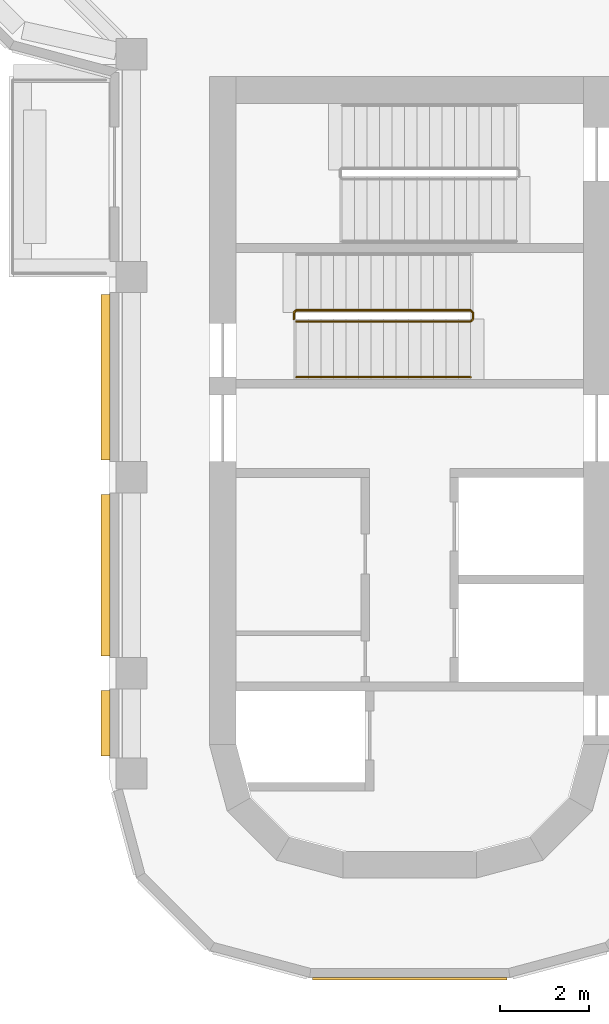
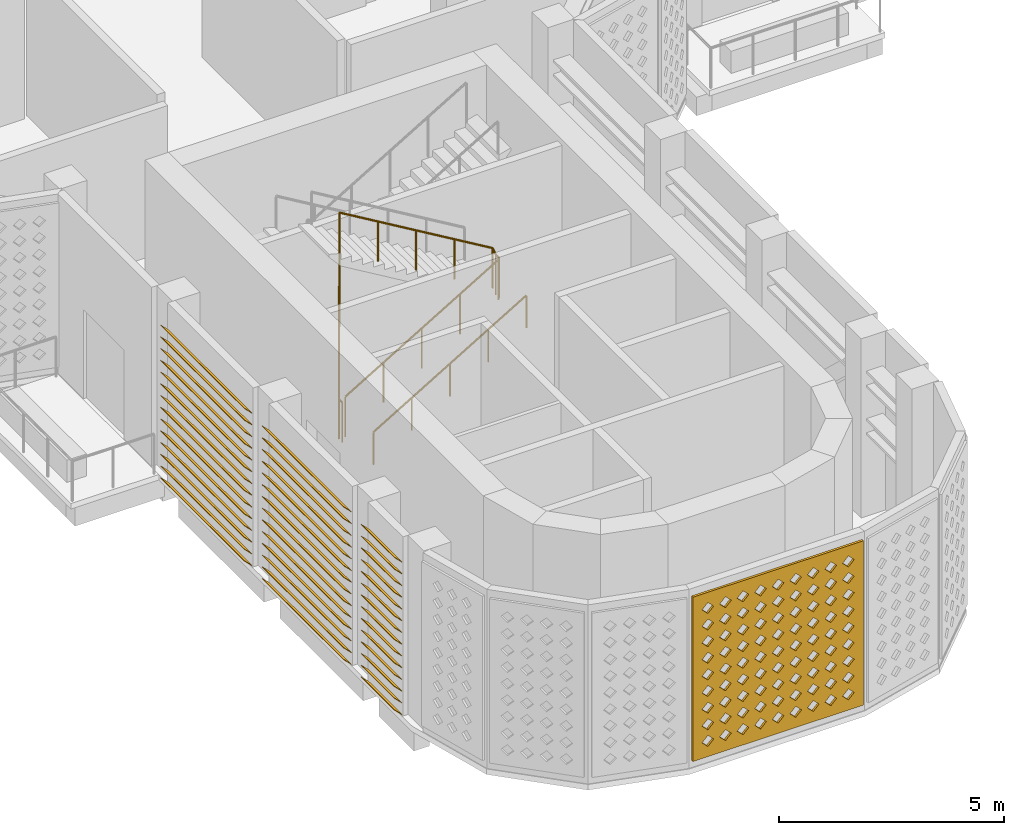
# One storey, part 10 of 20: 3 shading devices, 2 railings, 1 covering.
"""IFC4 building model written with IfcOpenShell, lengths in metres."""

from ifc_helpers import new_model, si_unit, direction, frame, origin, origin_2d, place, context, subcontext, project, spatial, polyline, circle, outline, extrude, source, transform, mapped, material, layer, layer_set, type_object, element, save


model = new_model("IFC4")

# Units and contexts
model_context = context("Model", 3, precision=1e-05, world=origin(), true_north=direction((0.0, 1.0)))
body_context = subcontext(model_context, "Body", "Model", "MODEL_VIEW")
ifc_project = project(units=[si_unit("LENGTHUNIT", "METRE"), si_unit("AREAUNIT", "SQUARE_METRE"), si_unit("VOLUMEUNIT", "CUBIC_METRE"), si_unit("PLANEANGLEUNIT", "RADIAN"), si_unit("MASSUNIT", "GRAM", prefix="KILO")], contexts=[model_context])

# Site, building, storey
site_placement = place(None, origin())
site = spatial("IfcSite", under=ifc_project, at=site_placement, CompositionType="ELEMENT")
building_placement = place(site_placement, origin())
building = spatial("IfcBuilding", under=site, at=building_placement, Name="Zarbagh Exchange Tower", CompositionType="ELEMENT")
storey_placement = place(building_placement, frame((0.0, 0.0, 244.800048828125)))
storey = spatial("IfcBuildingStorey", under=building, at=storey_placement, Name="L60", CompositionType="ELEMENT", Elevation=244.800048828125)

# Railings
ifc_material_1 = material(Name="Stainless steel", Category="steel")
railing_type_1 = type_object("IfcRailingType", Name="Stair guard 1100 mm", PredefinedType="GUARDRAIL", material=ifc_material_1)
railing_1_placement = place(storey_placement, frame((-2.550048828125, -16.75, 0.16650390625)))
element("IfcRailing", 1, at=railing_1_placement, inside=storey, type_object=railing_type_1, Name="ST3 stair guard 1", PredefinedType="GUARDRAIL", context=body_context, shape_type="SweptSolid", body=[
    extrude(circle(Radius=0.02392578125, at=origin_2d()), frame((0.0, 0.0, 1.076171875), z_axis=(0.859286724212, 0.0, 0.511494208758), x_axis=(0.0, 1.0, 0.0)), (0.0, 0.0, 1.0), 4.56201171875),
    extrude(circle(Radius=0.02392578125, at=origin_2d()), frame((3.920166015625, 0.0, 3.40966796875), z_axis=(0.705375805398, 0.708833529934, 0.0), x_axis=(-0.708833529934, 0.705375805398, 0.0)), (0.0, 0.0, 1.0), 0.070556640625),
    extrude(circle(Radius=0.02392578125, at=origin_2d()), frame((3.969970703125, 0.050048828125, 3.40966796875), z_axis=(0.0, 1.0, 0.0), x_axis=(-1.0, 0.0, 0.0)), (0.0, 0.0, 1.0), 0.14990234375),
    extrude(circle(Radius=0.02392578125, at=origin_2d()), frame((3.969970703125, 0.199951171875, 3.40966796875), z_axis=(-0.275382897532, 0.276732813696, 0.920642824102), x_axis=(-0.708833529934, -0.705375805398, 0.0)), (0.0, 0.0, 1.0), 0.180908203125),
    extrude(circle(Radius=0.02392578125, at=origin_2d()), frame((3.920166015625, 0.25, 3.576171875), z_axis=(-0.859286724212, 0.0, 0.511494208758), x_axis=(0.0, -1.0, 0.0)), (0.0, 0.0, 1.0), 4.56201171875),
    extrude(circle(Radius=0.02392578125, at=origin_2d()), frame((0.0, 0.25, 5.90966796875), z_axis=(-0.010008762843, -0.010008762843, -0.999899819648), x_axis=(0.707106781187, -0.707106781187, 0.0)), (0.0, 0.0, 1.0), 5.00048828125),
    extrude(circle(Radius=0.02392578125, at=origin_2d()), frame((-0.050048828125, 0.199951171875, 0.90966796875), z_axis=(0.0, -1.0, 0.0), x_axis=(1.0, 0.0, 0.0)), (0.0, 0.0, 1.0), 0.14990234375),
    extrude(circle(Radius=0.02099609375, at=origin_2d()), origin(), (0.0, 0.0, 1.0), 1.052001953125),
    extrude(circle(Radius=0.02099609375, at=origin_2d()), frame((0.97998046875, 0.0, 0.58349609375)), (0.0, 0.0, 1.0), 1.052001953125),
    extrude(circle(Radius=0.02099609375, at=origin_2d()), frame((1.9599609375, 0.0, 1.166748046875)), (0.0, 0.0, 1.0), 1.052001953125),
    extrude(circle(Radius=0.02099609375, at=origin_2d()), frame((2.940185546875, 0.0, 1.75)), (0.0, 0.0, 1.0), 1.052001953125),
    extrude(circle(Radius=0.02099609375, at=origin_2d()), frame((3.920166015625, 0.0, 2.33349609375)), (0.0, 0.0, 1.0), 1.052001953125),
    extrude(circle(Radius=0.02099609375, at=origin_2d()), frame((3.969970703125, 0.050048828125, 2.33349609375)), (0.0, 0.0, 1.0), 1.052001953125),
    extrude(circle(Radius=0.02099609375, at=origin_2d()), frame((3.969970703125, 0.199951171875, 2.33349609375)), (0.0, 0.0, 1.0), 1.052001953125),
    extrude(circle(Radius=0.02099609375, at=origin_2d()), frame((3.920166015625, 0.25, 2.5)), (0.0, 0.0, 1.0), 1.052001953125),
    extrude(circle(Radius=0.02099609375, at=origin_2d()), frame((2.940185546875, 0.25, 3.08349609375)), (0.0, 0.0, 1.0), 1.052001953125),
    extrude(circle(Radius=0.02099609375, at=origin_2d()), frame((1.9599609375, 0.25, 3.666748046875)), (0.0, 0.0, 1.0), 1.052001953125),
    extrude(circle(Radius=0.02099609375, at=origin_2d()), frame((0.97998046875, 0.25, 4.25)), (0.0, 0.0, 1.0), 1.052001953125),
    extrude(circle(Radius=0.02099609375, at=origin_2d()), frame((0.0, 0.25, 4.83349609375)), (0.0, 0.0, 1.0), 1.052001953125),
    extrude(circle(Radius=0.02099609375, at=origin_2d()), frame((-0.010009765625, 0.239990234375, 3.83349609375)), (0.0, 0.0, 1.0), 1.052001953125),
    extrude(circle(Radius=0.02099609375, at=origin_2d()), frame((-0.02001953125, 0.22998046875, 2.83349609375)), (0.0, 0.0, 1.0), 1.052001953125),
    extrude(circle(Radius=0.02099609375, at=origin_2d()), frame((-0.030029296875, 0.219970703125, 1.83349609375)), (0.0, 0.0, 1.0), 1.052001953125),
    extrude(circle(Radius=0.02099609375, at=origin_2d()), frame((-0.0400390625, 0.2099609375, 0.83349609375)), (0.0, 0.0, 1.0), 1.052001953125),
    extrude(circle(Radius=0.02099609375, at=origin_2d()), frame((-0.050048828125, 0.199951171875, -0.16650390625)), (0.0, 0.0, 1.0), 1.052001953125),
    extrude(circle(Radius=0.02099609375, at=origin_2d()), frame((-0.050048828125, 0.050048828125, -0.16650390625)), (0.0, 0.0, 1.0), 1.052001953125),
])
railing_type_2 = type_object("IfcRailingType", Name="Stair handrail 900 mm", PredefinedType="HANDRAIL", material=ifc_material_1)
railing_2_placement = place(storey_placement, frame((-2.550048828125, -18.0, 0.16650390625)))
element("IfcRailing", 2, at=railing_2_placement, inside=storey, type_object=railing_type_2, Name="ST3 stair handrail 1", PredefinedType="HANDRAIL", context=body_context, shape_type="SweptSolid", body=[
    extrude(circle(Radius=0.02392578125, at=origin_2d()), frame((0.0, 0.0, 0.8759765625), z_axis=(0.859286724212, 0.0, 0.511494208758), x_axis=(0.0, 1.0, 0.0)), (0.0, 0.0, 1.0), 4.56201171875),
    extrude(circle(Radius=0.02099609375, at=origin_2d()), origin(), (0.0, 0.0, 1.0), 0.851806640625),
    extrude(circle(Radius=0.02099609375, at=origin_2d()), frame((0.97998046875, 0.0, 0.58349609375)), (0.0, 0.0, 1.0), 0.851806640625),
    extrude(circle(Radius=0.02099609375, at=origin_2d()), frame((1.9599609375, 0.0, 1.166748046875)), (0.0, 0.0, 1.0), 0.851806640625),
    extrude(circle(Radius=0.02099609375, at=origin_2d()), frame((2.940185546875, 0.0, 1.75)), (0.0, 0.0, 1.0), 0.851806640625),
    extrude(circle(Radius=0.02099609375, at=origin_2d()), frame((3.920166015625, 0.0, 2.33349609375)), (0.0, 0.0, 1.0), 0.851806640625),
])

# Covering
ifc_material_2 = material(Name="Glass-fibre reinforced concrete GFRC C50/60", Category="concrete")
ifc_layer = layer(ifc_material_2, 0.06005859375)
ifc_layer_set = layer_set([ifc_layer], Name="SCREEN jali panel, GFRC")
covering_type = type_object("IfcCoveringType", Name="SCREEN jali panel, GFRC", PredefinedType="CLADDING", material=ifc_layer_set)
shared_shape_1 = source(origin(), body_context, "Body", "SweptSolid", [
    extrude(outline(polyline([(0.0, 0.0), (4.368408203125, 0.0), (4.368408203125, 4.449951171875), (0.0, 4.449951171875), (0.0, 0.0)]), holes=[polyline([(0.234130859375, 0.425048828125), (0.38427734375, 0.27490234375), (0.5341796875, 0.425048828125), (0.38427734375, 0.574951171875), (0.234130859375, 0.425048828125)]), polyline([(0.234130859375, 0.875), (0.38427734375, 0.72509765625), (0.5341796875, 0.875), (0.38427734375, 1.02490234375), (0.234130859375, 0.875)]), polyline([(0.234130859375, 1.324951171875), (0.38427734375, 1.175048828125), (0.5341796875, 1.324951171875), (0.38427734375, 1.47509765625), (0.234130859375, 1.324951171875)]), polyline([(0.234130859375, 1.77490234375), (0.38427734375, 1.625), (0.5341796875, 1.77490234375), (0.38427734375, 1.925048828125), (0.234130859375, 1.77490234375)]), polyline([(0.234130859375, 2.22509765625), (0.38427734375, 2.074951171875), (0.5341796875, 2.22509765625), (0.38427734375, 2.375), (0.234130859375, 2.22509765625)]), polyline([(0.234130859375, 2.675048828125), (0.38427734375, 2.52490234375), (0.5341796875, 2.675048828125), (0.38427734375, 2.824951171875), (0.234130859375, 2.675048828125)]), polyline([(0.234130859375, 3.125), (0.38427734375, 2.97509765625), (0.5341796875, 3.125), (0.38427734375, 3.27490234375), (0.234130859375, 3.125)]), polyline([(0.234130859375, 3.574951171875), (0.38427734375, 3.425048828125), (0.5341796875, 3.574951171875), (0.38427734375, 3.72509765625), (0.234130859375, 3.574951171875)]), polyline([(0.234130859375, 4.02490234375), (0.38427734375, 3.875), (0.5341796875, 4.02490234375), (0.38427734375, 4.175048828125), (0.234130859375, 4.02490234375)]), polyline([(0.68408203125, 0.425048828125), (0.834228515625, 0.27490234375), (0.984130859375, 0.425048828125), (0.834228515625, 0.574951171875), (0.68408203125, 0.425048828125)]), polyline([(0.68408203125, 0.875), (0.834228515625, 0.72509765625), (0.984130859375, 0.875), (0.834228515625, 1.02490234375), (0.68408203125, 0.875)]), polyline([(0.68408203125, 1.324951171875), (0.834228515625, 1.175048828125), (0.984130859375, 1.324951171875), (0.834228515625, 1.47509765625), (0.68408203125, 1.324951171875)]), polyline([(0.68408203125, 1.77490234375), (0.834228515625, 1.625), (0.984130859375, 1.77490234375), (0.834228515625, 1.925048828125), (0.68408203125, 1.77490234375)]), polyline([(0.68408203125, 2.22509765625), (0.834228515625, 2.074951171875), (0.984130859375, 2.22509765625), (0.834228515625, 2.375), (0.68408203125, 2.22509765625)]), polyline([(0.68408203125, 2.675048828125), (0.834228515625, 2.52490234375), (0.984130859375, 2.675048828125), (0.834228515625, 2.824951171875), (0.68408203125, 2.675048828125)]), polyline([(0.68408203125, 3.125), (0.834228515625, 2.97509765625), (0.984130859375, 3.125), (0.834228515625, 3.27490234375), (0.68408203125, 3.125)]), polyline([(0.68408203125, 3.574951171875), (0.834228515625, 3.425048828125), (0.984130859375, 3.574951171875), (0.834228515625, 3.72509765625), (0.68408203125, 3.574951171875)]), polyline([(0.68408203125, 4.02490234375), (0.834228515625, 3.875), (0.984130859375, 4.02490234375), (0.834228515625, 4.175048828125), (0.68408203125, 4.02490234375)]), polyline([(1.13427734375, 0.425048828125), (1.2841796875, 0.27490234375), (1.43408203125, 0.425048828125), (1.2841796875, 0.574951171875), (1.13427734375, 0.425048828125)]), polyline([(1.13427734375, 0.875), (1.2841796875, 0.72509765625), (1.43408203125, 0.875), (1.2841796875, 1.02490234375), (1.13427734375, 0.875)]), polyline([(1.13427734375, 1.324951171875), (1.2841796875, 1.175048828125), (1.43408203125, 1.324951171875), (1.2841796875, 1.47509765625), (1.13427734375, 1.324951171875)]), polyline([(1.13427734375, 1.77490234375), (1.2841796875, 1.625), (1.43408203125, 1.77490234375), (1.2841796875, 1.925048828125), (1.13427734375, 1.77490234375)]), polyline([(1.13427734375, 2.22509765625), (1.2841796875, 2.074951171875), (1.43408203125, 2.22509765625), (1.2841796875, 2.375), (1.13427734375, 2.22509765625)]), polyline([(1.13427734375, 2.675048828125), (1.2841796875, 2.52490234375), (1.43408203125, 2.675048828125), (1.2841796875, 2.824951171875), (1.13427734375, 2.675048828125)]), polyline([(1.13427734375, 3.125), (1.2841796875, 2.97509765625), (1.43408203125, 3.125), (1.2841796875, 3.27490234375), (1.13427734375, 3.125)]), polyline([(1.13427734375, 3.574951171875), (1.2841796875, 3.425048828125), (1.43408203125, 3.574951171875), (1.2841796875, 3.72509765625), (1.13427734375, 3.574951171875)]), polyline([(1.13427734375, 4.02490234375), (1.2841796875, 3.875), (1.43408203125, 4.02490234375), (1.2841796875, 4.175048828125), (1.13427734375, 4.02490234375)]), polyline([(1.584228515625, 0.425048828125), (1.734130859375, 0.27490234375), (1.88427734375, 0.425048828125), (1.734130859375, 0.574951171875), (1.584228515625, 0.425048828125)]), polyline([(1.584228515625, 0.875), (1.734130859375, 0.72509765625), (1.88427734375, 0.875), (1.734130859375, 1.02490234375), (1.584228515625, 0.875)]), polyline([(1.584228515625, 1.324951171875), (1.734130859375, 1.175048828125), (1.88427734375, 1.324951171875), (1.734130859375, 1.47509765625), (1.584228515625, 1.324951171875)]), polyline([(1.584228515625, 1.77490234375), (1.734130859375, 1.625), (1.88427734375, 1.77490234375), (1.734130859375, 1.925048828125), (1.584228515625, 1.77490234375)]), polyline([(1.584228515625, 2.22509765625), (1.734130859375, 2.074951171875), (1.88427734375, 2.22509765625), (1.734130859375, 2.375), (1.584228515625, 2.22509765625)]), polyline([(1.584228515625, 2.675048828125), (1.734130859375, 2.52490234375), (1.88427734375, 2.675048828125), (1.734130859375, 2.824951171875), (1.584228515625, 2.675048828125)]), polyline([(1.584228515625, 3.125), (1.734130859375, 2.97509765625), (1.88427734375, 3.125), (1.734130859375, 3.27490234375), (1.584228515625, 3.125)]), polyline([(1.584228515625, 3.574951171875), (1.734130859375, 3.425048828125), (1.88427734375, 3.574951171875), (1.734130859375, 3.72509765625), (1.584228515625, 3.574951171875)]), polyline([(1.584228515625, 4.02490234375), (1.734130859375, 3.875), (1.88427734375, 4.02490234375), (1.734130859375, 4.175048828125), (1.584228515625, 4.02490234375)]), polyline([(2.0341796875, 0.425048828125), (2.18408203125, 0.27490234375), (2.334228515625, 0.425048828125), (2.18408203125, 0.574951171875), (2.0341796875, 0.425048828125)]), polyline([(2.0341796875, 0.875), (2.18408203125, 0.72509765625), (2.334228515625, 0.875), (2.18408203125, 1.02490234375), (2.0341796875, 0.875)]), polyline([(2.0341796875, 1.324951171875), (2.18408203125, 1.175048828125), (2.334228515625, 1.324951171875), (2.18408203125, 1.47509765625), (2.0341796875, 1.324951171875)]), polyline([(2.0341796875, 1.77490234375), (2.18408203125, 1.625), (2.334228515625, 1.77490234375), (2.18408203125, 1.925048828125), (2.0341796875, 1.77490234375)]), polyline([(2.0341796875, 2.22509765625), (2.18408203125, 2.074951171875), (2.334228515625, 2.22509765625), (2.18408203125, 2.375), (2.0341796875, 2.22509765625)]), polyline([(2.0341796875, 2.675048828125), (2.18408203125, 2.52490234375), (2.334228515625, 2.675048828125), (2.18408203125, 2.824951171875), (2.0341796875, 2.675048828125)]), polyline([(2.0341796875, 3.125), (2.18408203125, 2.97509765625), (2.334228515625, 3.125), (2.18408203125, 3.27490234375), (2.0341796875, 3.125)]), polyline([(2.0341796875, 3.574951171875), (2.18408203125, 3.425048828125), (2.334228515625, 3.574951171875), (2.18408203125, 3.72509765625), (2.0341796875, 3.574951171875)]), polyline([(2.0341796875, 4.02490234375), (2.18408203125, 3.875), (2.334228515625, 4.02490234375), (2.18408203125, 4.175048828125), (2.0341796875, 4.02490234375)]), polyline([(2.484130859375, 0.425048828125), (2.63427734375, 0.27490234375), (2.7841796875, 0.425048828125), (2.63427734375, 0.574951171875), (2.484130859375, 0.425048828125)]), polyline([(2.484130859375, 0.875), (2.63427734375, 0.72509765625), (2.7841796875, 0.875), (2.63427734375, 1.02490234375), (2.484130859375, 0.875)]), polyline([(2.484130859375, 1.324951171875), (2.63427734375, 1.175048828125), (2.7841796875, 1.324951171875), (2.63427734375, 1.47509765625), (2.484130859375, 1.324951171875)]), polyline([(2.484130859375, 1.77490234375), (2.63427734375, 1.625), (2.7841796875, 1.77490234375), (2.63427734375, 1.925048828125), (2.484130859375, 1.77490234375)]), polyline([(2.484130859375, 2.22509765625), (2.63427734375, 2.074951171875), (2.7841796875, 2.22509765625), (2.63427734375, 2.375), (2.484130859375, 2.22509765625)]), polyline([(2.484130859375, 2.675048828125), (2.63427734375, 2.52490234375), (2.7841796875, 2.675048828125), (2.63427734375, 2.824951171875), (2.484130859375, 2.675048828125)]), polyline([(2.484130859375, 3.125), (2.63427734375, 2.97509765625), (2.7841796875, 3.125), (2.63427734375, 3.27490234375), (2.484130859375, 3.125)]), polyline([(2.484130859375, 3.574951171875), (2.63427734375, 3.425048828125), (2.7841796875, 3.574951171875), (2.63427734375, 3.72509765625), (2.484130859375, 3.574951171875)]), polyline([(2.484130859375, 4.02490234375), (2.63427734375, 3.875), (2.7841796875, 4.02490234375), (2.63427734375, 4.175048828125), (2.484130859375, 4.02490234375)]), polyline([(2.93408203125, 0.425048828125), (3.084228515625, 0.27490234375), (3.234130859375, 0.425048828125), (3.084228515625, 0.574951171875), (2.93408203125, 0.425048828125)]), polyline([(2.93408203125, 0.875), (3.084228515625, 0.72509765625), (3.234130859375, 0.875), (3.084228515625, 1.02490234375), (2.93408203125, 0.875)]), polyline([(2.93408203125, 1.324951171875), (3.084228515625, 1.175048828125), (3.234130859375, 1.324951171875), (3.084228515625, 1.47509765625), (2.93408203125, 1.324951171875)]), polyline([(2.93408203125, 1.77490234375), (3.084228515625, 1.625), (3.234130859375, 1.77490234375), (3.084228515625, 1.925048828125), (2.93408203125, 1.77490234375)]), polyline([(2.93408203125, 2.22509765625), (3.084228515625, 2.074951171875), (3.234130859375, 2.22509765625), (3.084228515625, 2.375), (2.93408203125, 2.22509765625)]), polyline([(2.93408203125, 2.675048828125), (3.084228515625, 2.52490234375), (3.234130859375, 2.675048828125), (3.084228515625, 2.824951171875), (2.93408203125, 2.675048828125)]), polyline([(2.93408203125, 3.125), (3.084228515625, 2.97509765625), (3.234130859375, 3.125), (3.084228515625, 3.27490234375), (2.93408203125, 3.125)]), polyline([(2.93408203125, 3.574951171875), (3.084228515625, 3.425048828125), (3.234130859375, 3.574951171875), (3.084228515625, 3.72509765625), (2.93408203125, 3.574951171875)]), polyline([(2.93408203125, 4.02490234375), (3.084228515625, 3.875), (3.234130859375, 4.02490234375), (3.084228515625, 4.175048828125), (2.93408203125, 4.02490234375)]), polyline([(3.38427734375, 0.425048828125), (3.5341796875, 0.27490234375), (3.68408203125, 0.425048828125), (3.5341796875, 0.574951171875), (3.38427734375, 0.425048828125)]), polyline([(3.38427734375, 0.875), (3.5341796875, 0.72509765625), (3.68408203125, 0.875), (3.5341796875, 1.02490234375), (3.38427734375, 0.875)]), polyline([(3.38427734375, 1.324951171875), (3.5341796875, 1.175048828125), (3.68408203125, 1.324951171875), (3.5341796875, 1.47509765625), (3.38427734375, 1.324951171875)]), polyline([(3.38427734375, 1.77490234375), (3.5341796875, 1.625), (3.68408203125, 1.77490234375), (3.5341796875, 1.925048828125), (3.38427734375, 1.77490234375)]), polyline([(3.38427734375, 2.22509765625), (3.5341796875, 2.074951171875), (3.68408203125, 2.22509765625), (3.5341796875, 2.375), (3.38427734375, 2.22509765625)]), polyline([(3.38427734375, 2.675048828125), (3.5341796875, 2.52490234375), (3.68408203125, 2.675048828125), (3.5341796875, 2.824951171875), (3.38427734375, 2.675048828125)]), polyline([(3.38427734375, 3.125), (3.5341796875, 2.97509765625), (3.68408203125, 3.125), (3.5341796875, 3.27490234375), (3.38427734375, 3.125)]), polyline([(3.38427734375, 3.574951171875), (3.5341796875, 3.425048828125), (3.68408203125, 3.574951171875), (3.5341796875, 3.72509765625), (3.38427734375, 3.574951171875)]), polyline([(3.38427734375, 4.02490234375), (3.5341796875, 3.875), (3.68408203125, 4.02490234375), (3.5341796875, 4.175048828125), (3.38427734375, 4.02490234375)]), polyline([(3.834228515625, 0.425048828125), (3.984130859375, 0.27490234375), (4.13427734375, 0.425048828125), (3.984130859375, 0.574951171875), (3.834228515625, 0.425048828125)]), polyline([(3.834228515625, 0.875), (3.984130859375, 0.72509765625), (4.13427734375, 0.875), (3.984130859375, 1.02490234375), (3.834228515625, 0.875)]), polyline([(3.834228515625, 1.324951171875), (3.984130859375, 1.175048828125), (4.13427734375, 1.324951171875), (3.984130859375, 1.47509765625), (3.834228515625, 1.324951171875)]), polyline([(3.834228515625, 1.77490234375), (3.984130859375, 1.625), (4.13427734375, 1.77490234375), (3.984130859375, 1.925048828125), (3.834228515625, 1.77490234375)]), polyline([(3.834228515625, 2.22509765625), (3.984130859375, 2.074951171875), (4.13427734375, 2.22509765625), (3.984130859375, 2.375), (3.834228515625, 2.22509765625)]), polyline([(3.834228515625, 2.675048828125), (3.984130859375, 2.52490234375), (4.13427734375, 2.675048828125), (3.984130859375, 2.824951171875), (3.834228515625, 2.675048828125)]), polyline([(3.834228515625, 3.125), (3.984130859375, 2.97509765625), (4.13427734375, 3.125), (3.984130859375, 3.27490234375), (3.834228515625, 3.125)]), polyline([(3.834228515625, 3.574951171875), (3.984130859375, 3.425048828125), (4.13427734375, 3.574951171875), (3.984130859375, 3.72509765625), (3.834228515625, 3.574951171875)]), polyline([(3.834228515625, 4.02490234375), (3.984130859375, 3.875), (4.13427734375, 4.02490234375), (3.984130859375, 4.175048828125), (3.834228515625, 4.02490234375)])]), origin(), (0.0, 0.0, 1.0), 0.06005859375),
])
placement = place(storey_placement, origin())
element("IfcCovering", 3, at=placement, inside=storey, type_object=covering_type, Name="JS68 jali screen", PredefinedType="CLADDING", context=body_context, shape_type="MappedRepresentation", body=[
    mapped(shared_shape_1, transform((-2.18408203125, -31.47998046875, 0.199951171875), x_axis=(1.0, 0.0, 0.0), y_axis=(0.0, 0.0, 1.0), z_axis=(0.0, -1.0, 0.0))),
])

# Shading devices
ifc_material_3 = material(Name="Anodised aluminium", Category="aluminium")
shading_device_type = type_object("IfcShadingDeviceType", Name="LOUVRE plant louvre, fixed blades", PredefinedType="USERDEFINED", material=ifc_material_3)
shared_shape_2 = source(origin(), body_context, "Body", "SweptSolid", [
    extrude(outline(polyline([(0.0, 0.199951171875), (0.199951171875, 0.0), (0.199951171875, -0.02001953125), (0.0, 0.179931640625), (0.0, 0.199951171875)])), origin(), (0.0, 0.0, 1.0), 3.6201171875),
])
element("IfcShadingDevice", 4, at=placement, inside=storey, type_object=shading_device_type, Name="LV16 plant louvre", ObjectType="LOUVRE", PredefinedType="USERDEFINED", context=body_context, shape_type="MappedRepresentation", body=[
    mapped(shared_shape_2, transform((-6.72998046875, -20.64013671875, 0.199951171875), x_axis=(-1.0, 0.0, 0.0), y_axis=(0.0, 0.0, -1.0), z_axis=(0.0, -1.0, 0.0))),
    mapped(shared_shape_2, transform((-6.72998046875, -20.64013671875, 0.517822265625), x_axis=(-1.0, 0.0, 0.0), y_axis=(0.0, 0.0, -1.0), z_axis=(0.0, -1.0, 0.0))),
    mapped(shared_shape_2, transform((-6.72998046875, -20.64013671875, 0.835693359375), x_axis=(-1.0, 0.0, 0.0), y_axis=(0.0, 0.0, -1.0), z_axis=(0.0, -1.0, 0.0))),
    mapped(shared_shape_2, transform((-6.72998046875, -20.64013671875, 1.153564453125), x_axis=(-1.0, 0.0, 0.0), y_axis=(0.0, 0.0, -1.0), z_axis=(0.0, -1.0, 0.0))),
    mapped(shared_shape_2, transform((-6.72998046875, -20.64013671875, 1.471435546875), x_axis=(-1.0, 0.0, 0.0), y_axis=(0.0, 0.0, -1.0), z_axis=(0.0, -1.0, 0.0))),
    mapped(shared_shape_2, transform((-6.72998046875, -20.64013671875, 1.789306640625), x_axis=(-1.0, 0.0, 0.0), y_axis=(0.0, 0.0, -1.0), z_axis=(0.0, -1.0, 0.0))),
    mapped(shared_shape_2, transform((-6.72998046875, -20.64013671875, 2.107177734375), x_axis=(-1.0, 0.0, 0.0), y_axis=(0.0, 0.0, -1.0), z_axis=(0.0, -1.0, 0.0))),
    mapped(shared_shape_2, transform((-6.72998046875, -20.64013671875, 2.425048828125), x_axis=(-1.0, 0.0, 0.0), y_axis=(0.0, 0.0, -1.0), z_axis=(0.0, -1.0, 0.0))),
    mapped(shared_shape_2, transform((-6.72998046875, -20.64013671875, 2.742919921875), x_axis=(-1.0, 0.0, 0.0), y_axis=(0.0, 0.0, -1.0), z_axis=(0.0, -1.0, 0.0))),
    mapped(shared_shape_2, transform((-6.72998046875, -20.64013671875, 3.060546875), x_axis=(-1.0, 0.0, 0.0), y_axis=(0.0, 0.0, -1.0), z_axis=(0.0, -1.0, 0.0))),
    mapped(shared_shape_2, transform((-6.72998046875, -20.64013671875, 3.37841796875), x_axis=(-1.0, 0.0, 0.0), y_axis=(0.0, 0.0, -1.0), z_axis=(0.0, -1.0, 0.0))),
    mapped(shared_shape_2, transform((-6.72998046875, -20.64013671875, 3.6962890625), x_axis=(-1.0, 0.0, 0.0), y_axis=(0.0, 0.0, -1.0), z_axis=(0.0, -1.0, 0.0))),
    mapped(shared_shape_2, transform((-6.72998046875, -20.64013671875, 4.01416015625), x_axis=(-1.0, 0.0, 0.0), y_axis=(0.0, 0.0, -1.0), z_axis=(0.0, -1.0, 0.0))),
    mapped(shared_shape_2, transform((-6.72998046875, -20.64013671875, 4.33203125), x_axis=(-1.0, 0.0, 0.0), y_axis=(0.0, 0.0, -1.0), z_axis=(0.0, -1.0, 0.0))),
])
shared_shape_3 = source(origin(), body_context, "Body", "SweptSolid", [
    extrude(outline(polyline([(0.0, 0.199951171875), (0.199951171875, 0.0), (0.199951171875, -0.02001953125), (0.0, 0.179931640625), (0.0, 0.199951171875)])), origin(), (0.0, 0.0, 1.0), 1.469970703125),
])
element("IfcShadingDevice", 5, at=placement, inside=storey, type_object=shading_device_type, Name="LV16 plant louvre", ObjectType="LOUVRE", PredefinedType="USERDEFINED", context=body_context, shape_type="MappedRepresentation", body=[
    mapped(shared_shape_3, transform((-6.72998046875, -25.0400390625, 0.199951171875), x_axis=(-1.0, 0.0, 0.0), y_axis=(0.0, 0.0, -1.0), z_axis=(0.0, -1.0, 0.0))),
    mapped(shared_shape_3, transform((-6.72998046875, -25.0400390625, 0.517822265625), x_axis=(-1.0, 0.0, 0.0), y_axis=(0.0, 0.0, -1.0), z_axis=(0.0, -1.0, 0.0))),
    mapped(shared_shape_3, transform((-6.72998046875, -25.0400390625, 0.835693359375), x_axis=(-1.0, 0.0, 0.0), y_axis=(0.0, 0.0, -1.0), z_axis=(0.0, -1.0, 0.0))),
    mapped(shared_shape_3, transform((-6.72998046875, -25.0400390625, 1.153564453125), x_axis=(-1.0, 0.0, 0.0), y_axis=(0.0, 0.0, -1.0), z_axis=(0.0, -1.0, 0.0))),
    mapped(shared_shape_3, transform((-6.72998046875, -25.0400390625, 1.471435546875), x_axis=(-1.0, 0.0, 0.0), y_axis=(0.0, 0.0, -1.0), z_axis=(0.0, -1.0, 0.0))),
    mapped(shared_shape_3, transform((-6.72998046875, -25.0400390625, 1.789306640625), x_axis=(-1.0, 0.0, 0.0), y_axis=(0.0, 0.0, -1.0), z_axis=(0.0, -1.0, 0.0))),
    mapped(shared_shape_3, transform((-6.72998046875, -25.0400390625, 2.107177734375), x_axis=(-1.0, 0.0, 0.0), y_axis=(0.0, 0.0, -1.0), z_axis=(0.0, -1.0, 0.0))),
    mapped(shared_shape_3, transform((-6.72998046875, -25.0400390625, 2.425048828125), x_axis=(-1.0, 0.0, 0.0), y_axis=(0.0, 0.0, -1.0), z_axis=(0.0, -1.0, 0.0))),
    mapped(shared_shape_3, transform((-6.72998046875, -25.0400390625, 2.742919921875), x_axis=(-1.0, 0.0, 0.0), y_axis=(0.0, 0.0, -1.0), z_axis=(0.0, -1.0, 0.0))),
    mapped(shared_shape_3, transform((-6.72998046875, -25.0400390625, 3.060546875), x_axis=(-1.0, 0.0, 0.0), y_axis=(0.0, 0.0, -1.0), z_axis=(0.0, -1.0, 0.0))),
    mapped(shared_shape_3, transform((-6.72998046875, -25.0400390625, 3.37841796875), x_axis=(-1.0, 0.0, 0.0), y_axis=(0.0, 0.0, -1.0), z_axis=(0.0, -1.0, 0.0))),
    mapped(shared_shape_3, transform((-6.72998046875, -25.0400390625, 3.6962890625), x_axis=(-1.0, 0.0, 0.0), y_axis=(0.0, 0.0, -1.0), z_axis=(0.0, -1.0, 0.0))),
    mapped(shared_shape_3, transform((-6.72998046875, -25.0400390625, 4.01416015625), x_axis=(-1.0, 0.0, 0.0), y_axis=(0.0, 0.0, -1.0), z_axis=(0.0, -1.0, 0.0))),
    mapped(shared_shape_3, transform((-6.72998046875, -25.0400390625, 4.33203125), x_axis=(-1.0, 0.0, 0.0), y_axis=(0.0, 0.0, -1.0), z_axis=(0.0, -1.0, 0.0))),
])
shared_shape_4 = source(origin(), body_context, "Body", "SweptSolid", [
    extrude(outline(polyline([(0.0, 0.199951171875), (0.199951171875, 0.0), (0.199951171875, -0.02001953125), (0.0, 0.179931640625), (0.0, 0.199951171875)])), origin(), (0.0, 0.0, 1.0), 3.719970703125),
])
element("IfcShadingDevice", 6, at=placement, inside=storey, type_object=shading_device_type, Name="LV16 plant louvre", ObjectType="LOUVRE", PredefinedType="USERDEFINED", context=body_context, shape_type="MappedRepresentation", body=[
    mapped(shared_shape_4, transform((-6.72998046875, -16.14013671875, 0.199951171875), x_axis=(-1.0, 0.0, 0.0), y_axis=(0.0, 0.0, -1.0), z_axis=(0.0, -1.0, 0.0))),
    mapped(shared_shape_4, transform((-6.72998046875, -16.14013671875, 0.517822265625), x_axis=(-1.0, 0.0, 0.0), y_axis=(0.0, 0.0, -1.0), z_axis=(0.0, -1.0, 0.0))),
    mapped(shared_shape_4, transform((-6.72998046875, -16.14013671875, 0.835693359375), x_axis=(-1.0, 0.0, 0.0), y_axis=(0.0, 0.0, -1.0), z_axis=(0.0, -1.0, 0.0))),
    mapped(shared_shape_4, transform((-6.72998046875, -16.14013671875, 1.153564453125), x_axis=(-1.0, 0.0, 0.0), y_axis=(0.0, 0.0, -1.0), z_axis=(0.0, -1.0, 0.0))),
    mapped(shared_shape_4, transform((-6.72998046875, -16.14013671875, 1.471435546875), x_axis=(-1.0, 0.0, 0.0), y_axis=(0.0, 0.0, -1.0), z_axis=(0.0, -1.0, 0.0))),
    mapped(shared_shape_4, transform((-6.72998046875, -16.14013671875, 1.789306640625), x_axis=(-1.0, 0.0, 0.0), y_axis=(0.0, 0.0, -1.0), z_axis=(0.0, -1.0, 0.0))),
    mapped(shared_shape_4, transform((-6.72998046875, -16.14013671875, 2.107177734375), x_axis=(-1.0, 0.0, 0.0), y_axis=(0.0, 0.0, -1.0), z_axis=(0.0, -1.0, 0.0))),
    mapped(shared_shape_4, transform((-6.72998046875, -16.14013671875, 2.425048828125), x_axis=(-1.0, 0.0, 0.0), y_axis=(0.0, 0.0, -1.0), z_axis=(0.0, -1.0, 0.0))),
    mapped(shared_shape_4, transform((-6.72998046875, -16.14013671875, 2.742919921875), x_axis=(-1.0, 0.0, 0.0), y_axis=(0.0, 0.0, -1.0), z_axis=(0.0, -1.0, 0.0))),
    mapped(shared_shape_4, transform((-6.72998046875, -16.14013671875, 3.060546875), x_axis=(-1.0, 0.0, 0.0), y_axis=(0.0, 0.0, -1.0), z_axis=(0.0, -1.0, 0.0))),
    mapped(shared_shape_4, transform((-6.72998046875, -16.14013671875, 3.37841796875), x_axis=(-1.0, 0.0, 0.0), y_axis=(0.0, 0.0, -1.0), z_axis=(0.0, -1.0, 0.0))),
    mapped(shared_shape_4, transform((-6.72998046875, -16.14013671875, 3.6962890625), x_axis=(-1.0, 0.0, 0.0), y_axis=(0.0, 0.0, -1.0), z_axis=(0.0, -1.0, 0.0))),
    mapped(shared_shape_4, transform((-6.72998046875, -16.14013671875, 4.01416015625), x_axis=(-1.0, 0.0, 0.0), y_axis=(0.0, 0.0, -1.0), z_axis=(0.0, -1.0, 0.0))),
    mapped(shared_shape_4, transform((-6.72998046875, -16.14013671875, 4.33203125), x_axis=(-1.0, 0.0, 0.0), y_axis=(0.0, 0.0, -1.0), z_axis=(0.0, -1.0, 0.0))),
])

save(model, "model.ifc")
